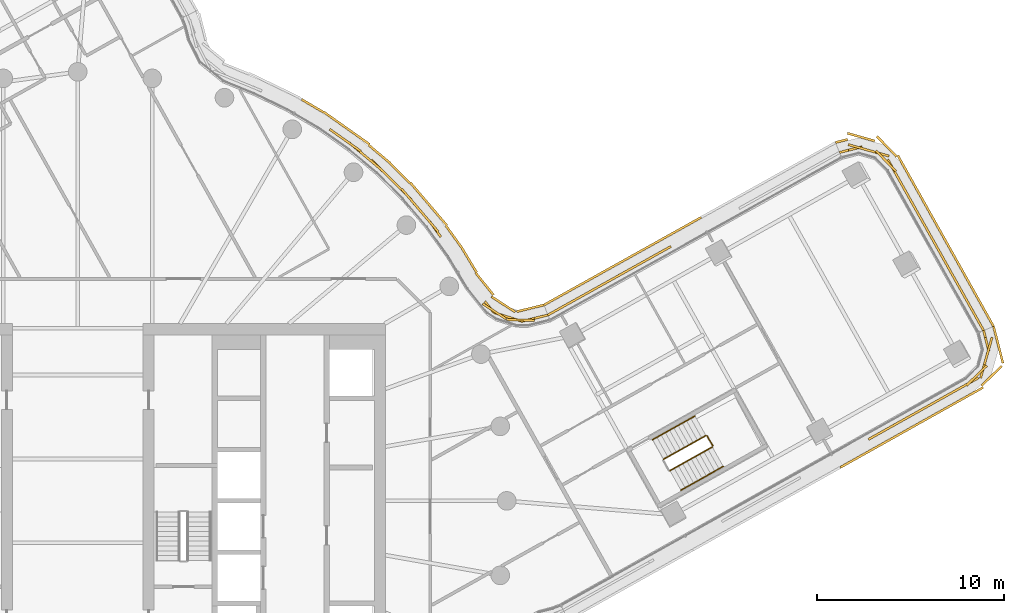
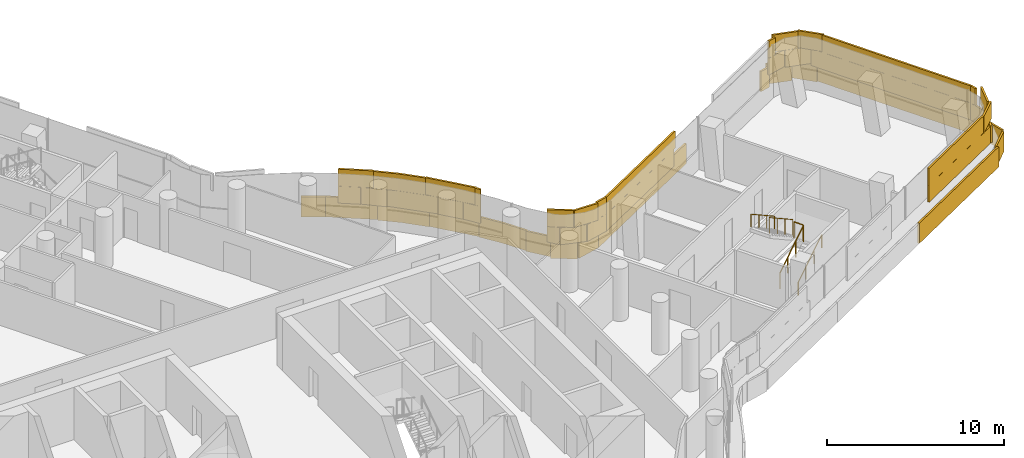
# One storey, part 32 of 34: 5 railings, 4 coverings.
"""IFC4 building model written with IfcOpenShell, lengths in metres."""

import ifcopenshell
import ifcopenshell.guid

model = None  # the IFC model being written
_history = None  # IfcOwnerHistory: only IFC2X3 demands one
_inside = {}  # id of a spatial element -> (the spatial element, [elements in it])
_under = {}  # id of a project, library or spatial element -> (it, [spatial elements below it])
_declared = {}  # id of a project -> (the project, [libraries it declares])
_typed = {}  # id of a type object -> (the type object, [elements of that type])
_made_of = {}  # id of a material, layer set ... -> (it, [elements and type objects made of it])


def new_model(schema):
    """Start an empty IFC model of exactly this schema.

    Asked for "IFC4X3", IfcOpenShell would pick the latest addendum, in which some entities
    have other attributes; the version numbers below select the first issue.
    IFC2X3 requires an IfcOwnerHistory on every rooted entity: one is made here for all.
    """
    global model, _history
    if schema == "IFC4X3":
        model = ifcopenshell.file(schema_version=(4, 3, 0, 0))
    else:
        model = ifcopenshell.file(schema=schema)
    _inside.clear()
    _under.clear()
    _declared.clear()
    _typed.clear()
    _made_of.clear()
    _history = None
    if model.schema == "IFC2X3":
        org = make("IfcOrganization", Name="unknown")
        user = make(
            "IfcPersonAndOrganization",
            ThePerson=make("IfcPerson", FamilyName="unknown"),
            TheOrganization=org,
        )
        app = make(
            "IfcApplication",
            ApplicationDeveloper=org,
            Version="unknown",
            ApplicationFullName="unknown",
            ApplicationIdentifier="unknown",
        )
        _history = make(
            "IfcOwnerHistory",
            OwningUser=user,
            OwningApplication=app,
            ChangeAction="ADDED",
            CreationDate=0,
        )
    return model


def make(cls, **values):
    """One entity of the class cls with the attributes given. An attribute that is None is left unset."""
    return model.create_entity(
        cls, **{name: value for name, value in values.items() if value is not None}
    )


def rooted(cls, **values):
    """An entity with a GlobalId (a new one), such as an element, a storey or a relation."""
    return make(cls, GlobalId=ifcopenshell.guid.new(), OwnerHistory=_history, **values)


def si_unit(unit_type, name, prefix=None):
    """IfcSIUnit, for example si_unit("LENGTHUNIT", "METRE", prefix="MILLI")."""
    return make("IfcSIUnit", UnitType=unit_type, Prefix=prefix, Name=name)


def assignment(units):
    """IfcUnitAssignment: the units of a project."""
    return None if units is None else make("IfcUnitAssignment", Units=units)


def point(xyz):
    """IfcCartesianPoint."""
    return None if xyz is None else make("IfcCartesianPoint", Coordinates=xyz)


def direction(xyz):
    """IfcDirection."""
    return None if xyz is None else make("IfcDirection", DirectionRatios=xyz)


def frame(location, z_axis=None, x_axis=None):
    """IfcAxis2Placement3D, a coordinate frame: its origin and axes. An axis left out is left unset."""
    return make(
        "IfcAxis2Placement3D",
        Location=point(location),
        Axis=direction(z_axis),
        RefDirection=direction(x_axis),
    )


def frame_2d(location, x_axis=None):
    """IfcAxis2Placement2D, a coordinate frame in the plane: its origin and x axis."""
    return make(
        "IfcAxis2Placement2D", Location=point(location), RefDirection=direction(x_axis)
    )


def origin():
    """The frame at (0, 0, 0) with its axes left unset."""
    return frame((0.0, 0.0, 0.0))


def origin_2d():
    """The frame at (0, 0) in the plane with its x axis left unset."""
    return frame_2d((0.0, 0.0))


def place(relative_to, where):
    """IfcLocalPlacement: puts the frame where relative to a parent placement (None: the world)."""
    return make(
        "IfcLocalPlacement", PlacementRelTo=relative_to, RelativePlacement=where
    )


def context(
    kind, dimensions, precision=None, world=None, true_north=None, identifier=None
):
    """IfcGeometricRepresentationContext, for example the 3D "Model" context."""
    return make(
        "IfcGeometricRepresentationContext",
        ContextIdentifier=identifier,
        ContextType=kind,
        CoordinateSpaceDimension=dimensions,
        Precision=precision,
        WorldCoordinateSystem=world,
        TrueNorth=true_north,
    )


def subcontext(parent, identifier, kind, view, scale=None):
    """IfcGeometricRepresentationSubContext, for example "Body" below "Model"."""
    return make(
        "IfcGeometricRepresentationSubContext",
        ContextIdentifier=identifier,
        ContextType=kind,
        ParentContext=parent,
        TargetScale=scale,
        TargetView=view,
    )


def project(units=None, contexts=None):
    """IfcProject with its units and contexts."""
    return rooted(
        "IfcProject",
        Name="project",
        RepresentationContexts=contexts,
        UnitsInContext=assignment(units),
    )


def spatial(cls, under=None, at=None, **own):
    """A site, building, storey or space (cls), placed at a placement, below another one or the project."""
    s = rooted(cls, ObjectPlacement=at, **own)
    if under is not None:
        _under.setdefault(under.id(), (under, []))[1].append(s)
    return s


def profile(cls, at=None, kind="AREA", **sizes):
    """A parametric profile (cls). Its sizes go by their IFC names, for example OverallWidth=200.0."""
    return make(cls, ProfileType=kind, Position=at, **sizes)


def rectangle(**sizes):
    """IfcRectangleProfileDef."""
    return profile("IfcRectangleProfileDef", **sizes)


def circle(**sizes):
    """IfcCircleProfileDef."""
    return profile("IfcCircleProfileDef", **sizes)


def extrude(swept, where, along, depth):
    """IfcExtrudedAreaSolid: the profile swept, set in the frame where, extruded along a direction by depth."""
    return make(
        "IfcExtrudedAreaSolid",
        SweptArea=swept,
        Position=where,
        ExtrudedDirection=direction(along),
        Depth=depth,
    )


def shape(context_of_items, identifier, shape_type, items):
    """IfcShapeRepresentation: the items that make up one representation, for example the "Body"."""
    return make(
        "IfcShapeRepresentation",
        ContextOfItems=context_of_items,
        RepresentationIdentifier=identifier,
        RepresentationType=shape_type,
        Items=items,
    )


def material(Name=None, Category=None):
    """IfcMaterial."""
    return make("IfcMaterial", Name=Name, Category=Category)


def layer(
    of_material, thickness, ventilated=None, Name=None, Category=None, Priority=None
):
    """IfcMaterialLayer: one layer of a wall or slab, of a material (None: an air gap)."""
    return make(
        "IfcMaterialLayer",
        Material=of_material,
        LayerThickness=thickness,
        IsVentilated=ventilated,
        Name=Name,
        Category=Category,
        Priority=Priority,
    )


def layer_set(layers, Name=None):
    """IfcMaterialLayerSet."""
    return make("IfcMaterialLayerSet", MaterialLayers=layers, LayerSetName=Name)


def made_of(thing, what):
    """Note that an element or type object is made of a material, layer set ...; save() writes the relation."""
    if what is not None:
        _made_of.setdefault(what.id(), (what, []))[1].append(thing)
    return thing


def type_object(cls, material=None, **own):
    """A type object (cls), such as IfcWallType, which elements share."""
    return made_of(rooted(cls, **own), material)


def element(
    cls,
    number,
    at=None,
    inside=None,
    cuts=None,
    type_object=None,
    material=None,
    context=None,
    identifier="Body",
    shape_type=None,
    held_by="IfcProductDefinitionShape",
    body=None,
    shapes=None,
    **own,
):
    """One element of the class cls, such as IfcWall. Its Tag is "e" and its number.

    at: its placement. inside: the storey or other place that contains it. cuts: it is an
    opening in that element (IfcRelVoidsElement). A single representation is given by context,
    identifier, shape_type and body (its items); several are given by shapes. held_by: the class
    of the entity that holds the representations. save() writes the other relations.
    """
    e = rooted(cls, Tag="e%d" % number, ObjectPlacement=at, **own)
    if body is not None:
        shapes = [shape(context, identifier, shape_type, body)]
    if shapes is not None:
        e.Representation = make(held_by, Representations=shapes)
    if inside is not None:
        _inside.setdefault(inside.id(), (inside, []))[1].append(e)
    if cuts is not None:
        rooted(
            "IfcRelVoidsElement", RelatingBuildingElement=cuts, RelatedOpeningElement=e
        )
    if type_object is not None:
        _typed.setdefault(type_object.id(), (type_object, []))[1].append(e)
    return made_of(e, material)


def aggregate(whole, parts):
    """IfcRelAggregates: a whole, such as a stair, and the parts it consists of."""
    return rooted("IfcRelAggregates", RelatingObject=whole, RelatedObjects=parts)


def save(model, path):
    """Write the relations noted so far, then the file.

    IfcRelAggregates (storeys below a building ...), IfcRelContainedInSpatialStructure (elements
    in a storey), IfcRelDefinesByType, IfcRelAssociatesMaterial and IfcRelDeclares: one each for
    every whole, place, type object, material and project.
    """
    for whole, parts in _under.values():
        aggregate(whole, parts)
    for where, things in _inside.values():
        rooted(
            "IfcRelContainedInSpatialStructure",
            RelatedElements=things,
            RelatingStructure=where,
        )
    for kind, things in _typed.values():
        rooted("IfcRelDefinesByType", RelatedObjects=things, RelatingType=kind)
    for what, things in _made_of.values():
        rooted("IfcRelAssociatesMaterial", RelatedObjects=things, RelatingMaterial=what)
    for by, libraries in _declared.values():
        rooted("IfcRelDeclares", RelatingContext=by, RelatedDefinitions=libraries)
    model.write(path)


model = new_model("IFC4")

# Units and contexts
model_context = context("Model", 3, precision=1e-05, world=origin(), true_north=direction((0.0, 1.0)))
body_context = subcontext(model_context, "Body", "Model", "MODEL_VIEW")
ifc_project = project(units=[si_unit("LENGTHUNIT", "METRE"), si_unit("AREAUNIT", "SQUARE_METRE"), si_unit("VOLUMEUNIT", "CUBIC_METRE"), si_unit("PLANEANGLEUNIT", "RADIAN"), si_unit("MASSUNIT", "GRAM", prefix="KILO")], contexts=[model_context])

# Site, building, storey
site_placement = place(None, origin())
site = spatial("IfcSite", under=ifc_project, at=site_placement, CompositionType="ELEMENT")
building_placement = place(site_placement, origin())
building = spatial("IfcBuilding", under=site, at=building_placement, Name="Tamarind Cross Interchange Tower", CompositionType="ELEMENT")
storey_placement = place(building_placement, frame((0.0, 0.0, 140.5)))
storey = spatial("IfcBuildingStorey", under=building, at=storey_placement, Name="L34", CompositionType="ELEMENT", Elevation=140.5)

# Railings
ifc_material_1 = material(Name="Stair guard")
railing_type_1 = type_object("IfcRailingType", Name="Stair guard", PredefinedType="GUARDRAIL", material=ifc_material_1)
railing_1_placement = place(storey_placement, frame((31.7509765625, 1.6220703125, 0.17041015625)))
element("IfcRailing", 1, at=railing_1_placement, inside=storey, type_object=railing_type_1, Name="L34 ST3 stair guard 1", PredefinedType="GUARDRAIL", context=body_context, shape_type="SweptSolid", body=[
    extrude(circle(Radius=0.02392578125, at=origin_2d()), frame((0.0, 0.0, 1.076171875), z_axis=(0.72962628909, 0.408672393545, 0.548299510325), x_axis=(-0.488677712788, 0.87246437923, 0.0)), (0.0, 0.0, 1.0), 3.10888671875),
    extrude(circle(Radius=0.02099609375, at=origin_2d()), origin(), (0.0, 0.0, 1.0), 1.052001953125),
    extrude(circle(Radius=0.02099609375, at=origin_2d()), frame((0.756103515625, 0.423583984375, 0.568115234375)), (0.0, 0.0, 1.0), 1.052001953125),
    extrude(circle(Radius=0.02099609375, at=origin_2d()), frame((1.51220703125, 0.846923828125, 1.136474609375)), (0.0, 0.0, 1.0), 1.052001953125),
    extrude(circle(Radius=0.02099609375, at=origin_2d()), frame((2.268310546875, 1.2705078125, 1.70458984375)), (0.0, 0.0, 1.0), 1.052001953125),
])
railing_2_placement = place(storey_placement, frame((34.03857421875, 2.960693359375, 1.875)))
element("IfcRailing", 2, at=railing_2_placement, inside=storey, type_object=railing_type_1, Name="L34 ST3 stair guard 2", PredefinedType="GUARDRAIL", context=body_context, shape_type="SweptSolid", body=[
    extrude(circle(Radius=0.02392578125, at=origin_2d()), frame((0.0, 0.0, 1.076171875), z_axis=(-0.488714884725, 0.872443557744, 0.0), x_axis=(-0.872443557744, -0.488714884725, 0.0)), (0.0, 0.0, 1.0), 0.599853515625),
    extrude(circle(Radius=0.02099609375, at=origin_2d()), origin(), (0.0, 0.0, 1.0), 1.052001953125),
    extrude(circle(Radius=0.02099609375, at=origin_2d()), frame((-0.293212890625, 0.5234375, 0.0)), (0.0, 0.0, 1.0), 1.052001953125),
])
railing_3_placement = place(storey_placement, frame((33.67724609375, 3.50341796875, 2.04541015625)))
element("IfcRailing", 3, at=railing_3_placement, inside=storey, type_object=railing_type_1, Name="L34 ST3 stair guard 3", PredefinedType="GUARDRAIL", context=body_context, shape_type="SweptSolid", body=[
    extrude(circle(Radius=0.02392578125, at=origin_2d()), frame((0.0, 0.0, 1.076171875), z_axis=(-0.72960287191, -0.408737805219, 0.548281912784), x_axis=(0.488749187227, -0.872424341696, 0.0)), (0.0, 0.0, 1.0), 3.10888671875),
    extrude(circle(Radius=0.02099609375, at=origin_2d()), origin(), (0.0, 0.0, 1.0), 1.052001953125),
    extrude(circle(Radius=0.02099609375, at=origin_2d()), frame((-0.756103515625, -0.423583984375, 0.568115234375)), (0.0, 0.0, 1.0), 1.052001953125),
    extrude(circle(Radius=0.02099609375, at=origin_2d()), frame((-1.51220703125, -0.84716796875, 1.136474609375)), (0.0, 0.0, 1.0), 1.052001953125),
    extrude(circle(Radius=0.02099609375, at=origin_2d()), frame((-2.268310546875, -1.270751953125, 1.70458984375)), (0.0, 0.0, 1.0), 1.052001953125),
])
ifc_material_2 = material(Name="Stair handrail")
railing_type_2 = type_object("IfcRailingType", Name="Stair handrail", PredefinedType="HANDRAIL", material=ifc_material_2)
railing_4_placement = place(storey_placement, frame((32.33740234375, 0.5751953125, 0.17041015625)))
element("IfcRailing", 4, at=railing_4_placement, inside=storey, type_object=railing_type_2, Name="L34 ST3 stair handrail 1", PredefinedType="HANDRAIL", context=body_context, shape_type="SweptSolid", body=[
    extrude(circle(Radius=0.02392578125, at=origin_2d()), frame((0.0, 0.0, 0.8759765625), z_axis=(0.72962628909, 0.408672393545, 0.548299510325), x_axis=(-0.488677712788, 0.87246437923, 0.0)), (0.0, 0.0, 1.0), 3.10888671875),
    extrude(circle(Radius=0.02099609375, at=origin_2d()), origin(), (0.0, 0.0, 1.0), 0.851806640625),
    extrude(circle(Radius=0.02099609375, at=origin_2d()), frame((0.756103515625, 0.423583984375, 0.568115234375)), (0.0, 0.0, 1.0), 0.851806640625),
    extrude(circle(Radius=0.02099609375, at=origin_2d()), frame((1.51220703125, 0.846923828125, 1.136474609375)), (0.0, 0.0, 1.0), 0.851806640625),
    extrude(circle(Radius=0.02099609375, at=origin_2d()), frame((2.268310546875, 1.2705078125, 1.70458984375)), (0.0, 0.0, 1.0), 0.851806640625),
])
railing_5_placement = place(storey_placement, frame((33.0908203125, 4.55029296875, 2.04541015625)))
element("IfcRailing", 5, at=railing_5_placement, inside=storey, type_object=railing_type_2, Name="L34 ST3 stair handrail 2", PredefinedType="HANDRAIL", context=body_context, shape_type="SweptSolid", body=[
    extrude(circle(Radius=0.02392578125, at=origin_2d()), frame((0.0, 0.0, 0.8759765625), z_axis=(-0.72962628909, -0.408672393545, 0.548299510325), x_axis=(0.488677712788, -0.87246437923, 0.0)), (0.0, 0.0, 1.0), 3.10888671875),
    extrude(circle(Radius=0.02099609375, at=origin_2d()), origin(), (0.0, 0.0, 1.0), 0.851806640625),
    extrude(circle(Radius=0.02099609375, at=origin_2d()), frame((-0.756103515625, -0.423583984375, 0.568115234375)), (0.0, 0.0, 1.0), 0.851806640625),
    extrude(circle(Radius=0.02099609375, at=origin_2d()), frame((-1.51220703125, -0.846923828125, 1.136474609375)), (0.0, 0.0, 1.0), 0.851806640625),
    extrude(circle(Radius=0.02099609375, at=origin_2d()), frame((-2.268310546875, -1.2705078125, 1.70458984375)), (0.0, 0.0, 1.0), 0.851806640625),
])

# Coverings
ifc_material_3 = material(Name="Terracotta", Category="masonry")
ifc_layer = layer(ifc_material_3, 0.1201171875)
ifc_layer_set = layer_set([ifc_layer], Name="Terracotta")
covering_type = type_object("IfcCoveringType", Name="Terracotta baguette screen unit", PredefinedType="MOLDING", material=ifc_layer_set)
covering_1_placement = place(storey_placement, origin())
element("IfcCovering", 6, at=covering_1_placement, inside=storey, type_object=covering_type, Name="SCR-L34-07-02", PredefinedType="MOLDING", context=body_context, shape_type="SweptSolid", body=[
    extrude(rectangle(XDim=0.75634765625, YDim=0.1201171875, at=origin_2d()), frame((42.72119140625, 3.480224609375, 1.404052734375), z_axis=(0.0, 0.0, 1.0), x_axis=(0.872458481082, 0.488688242939, 0.0)), (0.0, 0.0, 1.0), 1.1669921875),
    extrude(rectangle(XDim=1.52001953125, YDim=0.1201171875, at=origin_2d()), frame((43.701171875, 4.029052734375, 1.404052734375), z_axis=(0.0, 0.0, 1.0), x_axis=(0.872458481082, 0.488688242939, 0.0)), (0.0, 0.0, 1.0), 1.1669921875),
    extrude(rectangle(XDim=1.52001953125, YDim=0.1201171875, at=origin_2d()), frame((45.010009765625, 4.761962890625, 1.404052734375), z_axis=(0.0, 0.0, 1.0), x_axis=(0.872458481082, 0.488688242939, 0.0)), (0.0, 0.0, 1.0), 1.1669921875),
    extrude(rectangle(XDim=1.52001953125, YDim=0.1201171875, at=origin_2d()), frame((46.318603515625, 5.4951171875, 1.404052734375), z_axis=(0.0, 0.0, 1.0), x_axis=(0.872458481082, 0.488688242939, 0.0)), (0.0, 0.0, 1.0), 1.1669921875),
    extrude(rectangle(XDim=1.52001953125, YDim=0.1201171875, at=origin_2d()), frame((47.627197265625, 6.22802734375, 1.404052734375), z_axis=(0.0, 0.0, 1.0), x_axis=(0.872458481082, 0.488688242939, 0.0)), (0.0, 0.0, 1.0), 1.1669921875),
    extrude(rectangle(XDim=1.52001953125, YDim=0.1201171875, at=origin_2d()), frame((48.60595703125, 7.313232421875, 1.404052734375), z_axis=(0.0, 0.0, 1.0), x_axis=(0.271366537809, 0.962476078746, 0.0)), (0.0, 0.0, 1.0), 1.1669921875),
    extrude(rectangle(XDim=1.144287109375, YDim=0.1201171875, at=origin_2d()), frame((48.70263671875, 8.58447265625, 1.404052734375), z_axis=(0.0, 0.0, 1.0), x_axis=(-0.246227723894, 0.969212003633, 0.0)), (0.0, 0.0, 1.0), 1.1669921875),
    extrude(rectangle(XDim=1.50634765625, YDim=0.1201171875, at=origin_2d()), frame((43.04833984375, 3.663330078125, 2.5791015625), z_axis=(0.0, 0.0, 1.0), x_axis=(0.872458481082, 0.488688242939, 0.0)), (0.0, 0.0, 1.0), 1.1669921875),
    extrude(rectangle(XDim=1.52001953125, YDim=0.1201171875, at=origin_2d()), frame((44.35546875, 4.3955078125, 2.5791015625), z_axis=(0.0, 0.0, 1.0), x_axis=(0.872458481082, 0.488688242939, 0.0)), (0.0, 0.0, 1.0), 1.1669921875),
    extrude(rectangle(XDim=1.52001953125, YDim=0.1201171875, at=origin_2d()), frame((45.664306640625, 5.128662109375, 2.5791015625), z_axis=(0.0, 0.0, 1.0), x_axis=(0.872458481082, 0.488688242939, 0.0)), (0.0, 0.0, 1.0), 1.1669921875),
    extrude(rectangle(XDim=1.52001953125, YDim=0.1201171875, at=origin_2d()), frame((46.972900390625, 5.861572265625, 2.5791015625), z_axis=(0.0, 0.0, 1.0), x_axis=(0.872458481082, 0.488688242939, 0.0)), (0.0, 0.0, 1.0), 1.1669921875),
    extrude(rectangle(XDim=1.52001953125, YDim=0.1201171875, at=origin_2d()), frame((48.189208984375, 6.718505859375, 2.5791015625), z_axis=(0.0, 0.0, 1.0), x_axis=(0.716248354852, 0.697845465824, 0.0)), (0.0, 0.0, 1.0), 1.1669921875),
    extrude(rectangle(XDim=1.52001953125, YDim=0.1201171875, at=origin_2d()), frame((48.8095703125, 8.03515625, 2.5791015625), z_axis=(0.0, 0.0, 1.0), x_axis=(0.271366537809, 0.962476078746, 0.0)), (0.0, 0.0, 1.0), 1.1669921875),
    extrude(rectangle(XDim=0.394287109375, YDim=0.1201171875, at=origin_2d()), frame((48.6103515625, 8.947998046875, 2.5791015625), z_axis=(0.0, 0.0, 1.0), x_axis=(-0.246227723894, 0.969212003633, 0.0)), (0.0, 0.0, 1.0), 1.1669921875),
    extrude(rectangle(XDim=1.28076171875, YDim=0.1201171875, at=origin_2d()), frame((41.43603515625, 2.102294921875, 0.00390625), z_axis=(0.0, 0.0, 1.0), x_axis=(0.872458481082, 0.488688242939, 0.0)), (0.0, 0.0, 1.0), 1.39208984375),
    extrude(rectangle(XDim=1.52001953125, YDim=0.1201171875, at=origin_2d()), frame((42.64013671875, 2.77685546875, 0.00390625), z_axis=(0.0, 0.0, 1.0), x_axis=(0.872458481082, 0.488688242939, 0.0)), (0.0, 0.0, 1.0), 1.39208984375),
    extrude(rectangle(XDim=1.52001953125, YDim=0.1201171875, at=origin_2d()), frame((43.948974609375, 3.509765625, 0.00390625), z_axis=(0.0, 0.0, 1.0), x_axis=(0.872458481082, 0.488688242939, 0.0)), (0.0, 0.0, 1.0), 1.39208984375),
    extrude(rectangle(XDim=1.52001953125, YDim=0.1201171875, at=origin_2d()), frame((45.257568359375, 4.242919921875, 0.00390625), z_axis=(0.0, 0.0, 1.0), x_axis=(0.872458481082, 0.488688242939, 0.0)), (0.0, 0.0, 1.0), 1.39208984375),
    extrude(rectangle(XDim=1.52001953125, YDim=0.1201171875, at=origin_2d()), frame((46.56640625, 4.975830078125, 0.00390625), z_axis=(0.0, 0.0, 1.0), x_axis=(0.872458481082, 0.488688242939, 0.0)), (0.0, 0.0, 1.0), 1.39208984375),
    extrude(rectangle(XDim=1.52001953125, YDim=0.1201171875, at=origin_2d()), frame((47.875, 5.708984375, 0.00390625), z_axis=(0.0, 0.0, 1.0), x_axis=(0.872458481082, 0.488688242939, 0.0)), (0.0, 0.0, 1.0), 1.39208984375),
    extrude(rectangle(XDim=1.52001953125, YDim=0.1201171875, at=origin_2d()), frame((48.99169921875, 6.698974609375, 0.00390625), z_axis=(0.0, 0.0, 1.0), x_axis=(0.716248354852, 0.697845465824, 0.0)), (0.0, 0.0, 1.0), 1.39208984375),
    extrude(rectangle(XDim=1.52001953125, YDim=0.1201171875, at=origin_2d()), frame((49.411865234375, 8.123779296875, 0.00390625), z_axis=(0.0, 0.0, 1.0), x_axis=(-0.246227723894, 0.969212003633, 0.0)), (0.0, 0.0, 1.0), 1.39208984375),
    extrude(rectangle(XDim=0.52392578125, YDim=0.1201171875, at=origin_2d()), frame((49.1650390625, 9.094970703125, 0.00390625), z_axis=(0.0, 0.0, 1.0), x_axis=(-0.246227723894, 0.969212003633, 0.0)), (0.0, 0.0, 1.0), 1.39208984375),
])
covering_2_placement = place(storey_placement, origin())
element("IfcCovering", 7, at=covering_2_placement, inside=storey, type_object=covering_type, Name="SCR-L34-08-00", PredefinedType="MOLDING", context=body_context, shape_type="SweptSolid", body=[
    extrude(rectangle(XDim=1.510009765625, YDim=0.1201171875, at=origin_2d()), frame((48.196533203125, 9.78857421875, 1.404052734375), z_axis=(0.0, 0.0, 1.0), x_axis=(-0.488688242939, 0.872458481082, 0.0)), (0.0, 0.0, 1.0), 1.1669921875),
    extrude(rectangle(XDim=1.52001953125, YDim=0.1201171875, at=origin_2d()), frame((47.46337890625, 11.09716796875, 1.404052734375), z_axis=(0.0, 0.0, 1.0), x_axis=(-0.488688242939, 0.872458481082, 0.0)), (0.0, 0.0, 1.0), 1.1669921875),
    extrude(rectangle(XDim=1.52001953125, YDim=0.1201171875, at=origin_2d()), frame((46.73046875, 12.40576171875, 1.404052734375), z_axis=(0.0, 0.0, 1.0), x_axis=(-0.488688242939, 0.872458481082, 0.0)), (0.0, 0.0, 1.0), 1.1669921875),
    extrude(rectangle(XDim=1.52001953125, YDim=0.1201171875, at=origin_2d()), frame((45.997314453125, 13.714599609375, 1.404052734375), z_axis=(0.0, 0.0, 1.0), x_axis=(-0.488688242939, 0.872458481082, 0.0)), (0.0, 0.0, 1.0), 1.1669921875),
    extrude(rectangle(XDim=1.52001953125, YDim=0.1201171875, at=origin_2d()), frame((45.264404296875, 15.023193359375, 1.404052734375), z_axis=(0.0, 0.0, 1.0), x_axis=(-0.488688242939, 0.872458481082, 0.0)), (0.0, 0.0, 1.0), 1.1669921875),
    extrude(rectangle(XDim=1.52001953125, YDim=0.1201171875, at=origin_2d()), frame((44.53125, 16.331787109375, 1.404052734375), z_axis=(0.0, 0.0, 1.0), x_axis=(-0.488688242939, 0.872458481082, 0.0)), (0.0, 0.0, 1.0), 1.1669921875),
    extrude(rectangle(XDim=1.52001953125, YDim=0.1201171875, at=origin_2d()), frame((43.79833984375, 17.640625, 1.404052734375), z_axis=(0.0, 0.0, 1.0), x_axis=(-0.488688242939, 0.872458481082, 0.0)), (0.0, 0.0, 1.0), 1.1669921875),
    extrude(rectangle(XDim=1.52001953125, YDim=0.1201171875, at=origin_2d()), frame((42.767578125, 18.688720703125, 1.404052734375), z_axis=(0.0, 0.0, 1.0), x_axis=(-0.962476078746, 0.271366537809, 0.0)), (0.0, 0.0, 1.0), 1.1669921875),
    extrude(rectangle(XDim=1.259521484375, YDim=0.1201171875, at=origin_2d()), frame((41.44140625, 18.830810546875, 1.404052734375), z_axis=(0.0, 0.0, 1.0), x_axis=(-0.969212003633, -0.246227723894, 0.0)), (0.0, 0.0, 1.0), 1.1669921875),
    extrude(rectangle(XDim=0.760009765625, YDim=0.1201171875, at=origin_2d()), frame((48.379638671875, 9.461181640625, 2.5791015625), z_axis=(0.0, 0.0, 1.0), x_axis=(-0.488688242939, 0.872458481082, 0.0)), (0.0, 0.0, 1.0), 1.1669921875),
    extrude(rectangle(XDim=1.52001953125, YDim=0.1201171875, at=origin_2d()), frame((47.829833984375, 10.44287109375, 2.5791015625), z_axis=(0.0, 0.0, 1.0), x_axis=(-0.488688242939, 0.872458481082, 0.0)), (0.0, 0.0, 1.0), 1.1669921875),
    extrude(rectangle(XDim=1.52001953125, YDim=0.1201171875, at=origin_2d()), frame((47.096923828125, 11.75146484375, 2.5791015625), z_axis=(0.0, 0.0, 1.0), x_axis=(-0.488688242939, 0.872458481082, 0.0)), (0.0, 0.0, 1.0), 1.1669921875),
    extrude(rectangle(XDim=1.52001953125, YDim=0.1201171875, at=origin_2d()), frame((46.36376953125, 13.060302734375, 2.5791015625), z_axis=(0.0, 0.0, 1.0), x_axis=(-0.488688242939, 0.872458481082, 0.0)), (0.0, 0.0, 1.0), 1.1669921875),
    extrude(rectangle(XDim=1.52001953125, YDim=0.1201171875, at=origin_2d()), frame((45.630859375, 14.368896484375, 2.5791015625), z_axis=(0.0, 0.0, 1.0), x_axis=(-0.488688242939, 0.872458481082, 0.0)), (0.0, 0.0, 1.0), 1.1669921875),
    extrude(rectangle(XDim=1.52001953125, YDim=0.1201171875, at=origin_2d()), frame((44.897705078125, 15.677490234375, 2.5791015625), z_axis=(0.0, 0.0, 1.0), x_axis=(-0.488688242939, 0.872458481082, 0.0)), (0.0, 0.0, 1.0), 1.1669921875),
    extrude(rectangle(XDim=1.52001953125, YDim=0.1201171875, at=origin_2d()), frame((44.164794921875, 16.986328125, 2.5791015625), z_axis=(0.0, 0.0, 1.0), x_axis=(-0.488688242939, 0.872458481082, 0.0)), (0.0, 0.0, 1.0), 1.1669921875),
    extrude(rectangle(XDim=1.52001953125, YDim=0.1201171875, at=origin_2d()), frame((43.33203125, 18.220458984375, 2.5791015625), z_axis=(0.0, 0.0, 1.0), x_axis=(-0.697845465824, 0.716248354852, 0.0)), (0.0, 0.0, 1.0), 1.1669921875),
    extrude(rectangle(XDim=1.52001953125, YDim=0.1201171875, at=origin_2d()), frame((42.0458984375, 18.892333984375, 2.5791015625), z_axis=(0.0, 0.0, 1.0), x_axis=(-0.962476078746, 0.271366537809, 0.0)), (0.0, 0.0, 1.0), 1.1669921875),
    extrude(rectangle(XDim=0.509521484375, YDim=0.1201171875, at=origin_2d()), frame((41.077880859375, 18.738525390625, 2.5791015625), z_axis=(0.0, 0.0, 1.0), x_axis=(-0.969212003633, -0.246227723894, 0.0)), (0.0, 0.0, 1.0), 1.1669921875),
    extrude(rectangle(XDim=1.510009765625, YDim=0.1201171875, at=origin_2d()), frame((48.731689453125, 10.00732421875, 0.00390625), z_axis=(0.0, 0.0, 1.0), x_axis=(-0.488688242939, 0.872458481082, 0.0)), (0.0, 0.0, 1.0), 1.39208984375),
    extrude(rectangle(XDim=1.52001953125, YDim=0.1201171875, at=origin_2d()), frame((48.001220703125, 11.311767578125, 0.00390625), z_axis=(0.0, 0.0, 1.0), x_axis=(-0.488688242939, 0.872458481082, 0.0)), (0.0, 0.0, 1.0), 1.39208984375),
    extrude(rectangle(XDim=1.52001953125, YDim=0.1201171875, at=origin_2d()), frame((47.26806640625, 12.620361328125, 0.00390625), z_axis=(0.0, 0.0, 1.0), x_axis=(-0.488688242939, 0.872458481082, 0.0)), (0.0, 0.0, 1.0), 1.39208984375),
    extrude(rectangle(XDim=1.52001953125, YDim=0.1201171875, at=origin_2d()), frame((46.53515625, 13.92919921875, 0.00390625), z_axis=(0.0, 0.0, 1.0), x_axis=(-0.488688242939, 0.872458481082, 0.0)), (0.0, 0.0, 1.0), 1.39208984375),
    extrude(rectangle(XDim=1.52001953125, YDim=0.1201171875, at=origin_2d()), frame((45.802001953125, 15.23779296875, 0.00390625), z_axis=(0.0, 0.0, 1.0), x_axis=(-0.488688242939, 0.872458481082, 0.0)), (0.0, 0.0, 1.0), 1.39208984375),
    extrude(rectangle(XDim=1.52001953125, YDim=0.1201171875, at=origin_2d()), frame((45.069091796875, 16.54638671875, 0.00390625), z_axis=(0.0, 0.0, 1.0), x_axis=(-0.488688242939, 0.872458481082, 0.0)), (0.0, 0.0, 1.0), 1.39208984375),
    extrude(rectangle(XDim=1.52001953125, YDim=0.1201171875, at=origin_2d()), frame((44.3359375, 17.855224609375, 0.00390625), z_axis=(0.0, 0.0, 1.0), x_axis=(-0.488688242939, 0.872458481082, 0.0)), (0.0, 0.0, 1.0), 1.39208984375),
    extrude(rectangle(XDim=1.52001953125, YDim=0.1201171875, at=origin_2d()), frame((43.3779296875, 18.995849609375, 0.00390625), z_axis=(0.0, 0.0, 1.0), x_axis=(-0.697845465824, 0.716248354852, 0.0)), (0.0, 0.0, 1.0), 1.39208984375),
    extrude(rectangle(XDim=1.52001953125, YDim=0.1201171875, at=origin_2d()), frame((41.993896484375, 19.503173828125, 0.00390625), z_axis=(0.0, 0.0, 1.0), x_axis=(-0.962476078746, 0.271366537809, 0.0)), (0.0, 0.0, 1.0), 1.39208984375),
    extrude(rectangle(XDim=0.676513671875, YDim=0.1201171875, at=origin_2d()), frame((40.94970703125, 19.298095703125, 0.00390625), z_axis=(0.0, 0.0, 1.0), x_axis=(-0.969212003633, -0.246227723894, 0.0)), (0.0, 0.0, 1.0), 1.39208984375),
])
covering_3_placement = place(storey_placement, origin())
element("IfcCovering", 8, at=covering_3_placement, inside=storey, type_object=covering_type, Name="SCR-L34-09-01", PredefinedType="MOLDING", context=body_context, shape_type="SweptSolid", body=[
    extrude(rectangle(XDim=1.52001953125, YDim=0.1201171875, at=origin_2d()), frame((31.009521484375, 13.19921875, 1.404052734375), z_axis=(0.0, 0.0, 1.0), x_axis=(-0.873449626547, -0.486914520101, 0.0)), (0.0, 0.0, 1.0), 1.1669921875),
    extrude(rectangle(XDim=1.52001953125, YDim=0.1201171875, at=origin_2d()), frame((29.699462890625, 12.46875, 1.404052734375), z_axis=(0.0, 0.0, 1.0), x_axis=(-0.873449626547, -0.486914520101, 0.0)), (0.0, 0.0, 1.0), 1.1669921875),
    extrude(rectangle(XDim=1.52001953125, YDim=0.1201171875, at=origin_2d()), frame((28.38916015625, 11.738525390625, 1.404052734375), z_axis=(0.0, 0.0, 1.0), x_axis=(-0.873449626547, -0.486914520101, 0.0)), (0.0, 0.0, 1.0), 1.1669921875),
    extrude(rectangle(XDim=1.52001953125, YDim=0.1201171875, at=origin_2d()), frame((27.0791015625, 11.008056640625, 1.404052734375), z_axis=(0.0, 0.0, 1.0), x_axis=(-0.873449626547, -0.486914520101, 0.0)), (0.0, 0.0, 1.0), 1.1669921875),
    extrude(rectangle(XDim=1.403564453125, YDim=0.1201171875, at=origin_2d()), frame((25.8154296875, 10.303466796875, 1.404052734375), z_axis=(0.0, 0.0, 1.0), x_axis=(-0.873449626547, -0.486914520101, 0.0)), (0.0, 0.0, 1.0), 1.1669921875),
    extrude(rectangle(XDim=0.911376953125, YDim=0.1201171875, at=origin_2d()), frame((31.4033203125, 13.418701171875, 2.5791015625), z_axis=(0.0, 0.0, 1.0), x_axis=(-0.873449626547, -0.486914520101, 0.0)), (0.0, 0.0, 1.0), 1.1669921875),
    extrude(rectangle(XDim=1.52001953125, YDim=0.1201171875, at=origin_2d()), frame((30.3544921875, 12.833984375, 2.5791015625), z_axis=(0.0, 0.0, 1.0), x_axis=(-0.873449626547, -0.486914520101, 0.0)), (0.0, 0.0, 1.0), 1.1669921875),
    extrude(rectangle(XDim=1.52001953125, YDim=0.1201171875, at=origin_2d()), frame((29.04443359375, 12.103515625, 2.5791015625), z_axis=(0.0, 0.0, 1.0), x_axis=(-0.873449626547, -0.486914520101, 0.0)), (0.0, 0.0, 1.0), 1.1669921875),
    extrude(rectangle(XDim=1.52001953125, YDim=0.1201171875, at=origin_2d()), frame((27.734130859375, 11.373291015625, 2.5791015625), z_axis=(0.0, 0.0, 1.0), x_axis=(-0.873449626547, -0.486914520101, 0.0)), (0.0, 0.0, 1.0), 1.1669921875),
    extrude(rectangle(XDim=1.52001953125, YDim=0.1201171875, at=origin_2d()), frame((26.424072265625, 10.642822265625, 2.5791015625), z_axis=(0.0, 0.0, 1.0), x_axis=(-0.873449626547, -0.486914520101, 0.0)), (0.0, 0.0, 1.0), 1.1669921875),
    extrude(rectangle(XDim=0.653564453125, YDim=0.1201171875, at=origin_2d()), frame((25.48779296875, 10.120849609375, 2.5791015625), z_axis=(0.0, 0.0, 1.0), x_axis=(-0.873449626547, -0.486914520101, 0.0)), (0.0, 0.0, 1.0), 1.1669921875),
    extrude(rectangle(XDim=0.7626953125, YDim=0.1201171875, at=origin_2d()), frame((33.085205078125, 15.013427734375, 0.00390625), z_axis=(0.0, 0.0, 1.0), x_axis=(-0.873449626547, -0.486914520101, 0.0)), (0.0, 0.0, 1.0), 1.39208984375),
    extrude(rectangle(XDim=1.52001953125, YDim=0.1201171875, at=origin_2d()), frame((32.105712890625, 14.46728515625, 0.00390625), z_axis=(0.0, 0.0, 1.0), x_axis=(-0.873449626547, -0.486914520101, 0.0)), (0.0, 0.0, 1.0), 1.39208984375),
    extrude(rectangle(XDim=1.52001953125, YDim=0.1201171875, at=origin_2d()), frame((30.795654296875, 13.737060546875, 0.00390625), z_axis=(0.0, 0.0, 1.0), x_axis=(-0.873449626547, -0.486914520101, 0.0)), (0.0, 0.0, 1.0), 1.39208984375),
    extrude(rectangle(XDim=1.52001953125, YDim=0.1201171875, at=origin_2d()), frame((29.4853515625, 13.006591796875, 0.00390625), z_axis=(0.0, 0.0, 1.0), x_axis=(-0.873449626547, -0.486914520101, 0.0)), (0.0, 0.0, 1.0), 1.39208984375),
    extrude(rectangle(XDim=1.52001953125, YDim=0.1201171875, at=origin_2d()), frame((28.17529296875, 12.2763671875, 0.00390625), z_axis=(0.0, 0.0, 1.0), x_axis=(-0.873449626547, -0.486914520101, 0.0)), (0.0, 0.0, 1.0), 1.39208984375),
    extrude(rectangle(XDim=1.52001953125, YDim=0.1201171875, at=origin_2d()), frame((26.864990234375, 11.5458984375, 0.00390625), z_axis=(0.0, 0.0, 1.0), x_axis=(-0.873449626547, -0.486914520101, 0.0)), (0.0, 0.0, 1.0), 1.39208984375),
    extrude(rectangle(XDim=1.40087890625, YDim=0.1201171875, at=origin_2d()), frame((25.60693359375, 10.844482421875, 0.00390625), z_axis=(0.0, 0.0, 1.0), x_axis=(-0.873449626547, -0.486914520101, 0.0)), (0.0, 0.0, 1.0), 1.39208984375),
])
covering_4_placement = place(storey_placement, origin())
element("IfcCovering", 9, at=covering_4_placement, inside=storey, type_object=covering_type, Name="SCR-L34-10-00", PredefinedType="MOLDING", context=body_context, shape_type="SweptSolid", body=[
    extrude(rectangle(XDim=1.510009765625, YDim=0.1201171875, at=origin_2d()), frame((24.47802734375, 9.786376953125, 1.404052734375), z_axis=(0.0, 0.0, 1.0), x_axis=(-0.971463193189, -0.237190354523, 0.0)), (0.0, 0.0, 1.0), 1.1669921875),
    extrude(rectangle(XDim=1.52001953125, YDim=0.1201171875, at=origin_2d()), frame((23.0166015625, 9.873046875, 1.404052734375), z_axis=(0.0, 0.0, 1.0), x_axis=(-0.954519224324, 0.298149375979, 0.0)), (0.0, 0.0, 1.0), 1.1669921875),
    extrude(rectangle(XDim=0.748046875, YDim=0.1201171875, at=origin_2d()), frame((22.057861328125, 10.4052734375, 1.404052734375), z_axis=(0.0, 0.0, 1.0), x_axis=(-0.625954972902, 0.779859200048, 0.0)), (0.0, 0.0, 1.0), 1.1669921875),
    extrude(rectangle(XDim=1.072021484375, YDim=0.1201171875, at=origin_2d()), frame((19.15185546875, 14.58642578125, 1.404052734375), z_axis=(0.0, 0.0, 1.0), x_axis=(-0.584573890505, 0.811340475102, 0.0)), (0.0, 0.0, 1.0), 1.1669921875),
    extrude(rectangle(XDim=1.52001953125, YDim=0.1201171875, at=origin_2d()), frame((18.3427734375, 15.57861328125, 1.404052734375), z_axis=(0.0, 0.0, 1.0), x_axis=(-0.64957723968, 0.760295606781, 0.0)), (0.0, 0.0, 1.0), 1.1669921875),
    extrude(rectangle(XDim=1.52001953125, YDim=0.1201171875, at=origin_2d()), frame((17.342041015625, 16.694580078125, 1.404052734375), z_axis=(0.0, 0.0, 1.0), x_axis=(-0.710143317658, 0.704057148523, 0.0)), (0.0, 0.0, 1.0), 1.1669921875),
    extrude(rectangle(XDim=1.52001953125, YDim=0.1201171875, at=origin_2d()), frame((16.27685546875, 17.750732421875, 1.404052734375), z_axis=(0.0, 0.0, 1.0), x_axis=(-0.710143317658, 0.704057148523, 0.0)), (0.0, 0.0, 1.0), 1.1669921875),
    extrude(rectangle(XDim=1.52001953125, YDim=0.1201171875, at=origin_2d()), frame((15.13134765625, 18.71875, 1.404052734375), z_axis=(0.0, 0.0, 1.0), x_axis=(-0.765858396687, 0.643009266048, 0.0)), (0.0, 0.0, 1.0), 1.1669921875),
    extrude(rectangle(XDim=1.2763671875, YDim=0.1201171875, at=origin_2d()), frame((14.02978515625, 19.553466796875, 1.404052734375), z_axis=(0.0, 0.0, 1.0), x_axis=(-0.816341886298, 0.577568978284, 0.0)), (0.0, 0.0, 1.0), 1.1669921875),
    extrude(rectangle(XDim=0.760009765625, YDim=0.1201171875, at=origin_2d()), frame((24.84228515625, 9.875244140625, 2.5791015625), z_axis=(0.0, 0.0, 1.0), x_axis=(-0.971463193189, -0.237190354523, 0.0)), (0.0, 0.0, 1.0), 1.1669921875),
    extrude(rectangle(XDim=1.52001953125, YDim=0.1201171875, at=origin_2d()), frame((23.740478515625, 9.6962890625, 2.5791015625), z_axis=(0.0, 0.0, 1.0), x_axis=(-0.999499487197, 0.031635029539, 0.0)), (0.0, 0.0, 1.0), 1.1669921875),
    extrude(rectangle(XDim=1.498046875, YDim=0.1201171875, at=origin_2d()), frame((22.3388671875, 10.1640625, 2.5791015625), z_axis=(0.0, 0.0, 1.0), x_axis=(-0.839808353158, 0.542882979993, 0.0)), (0.0, 0.0, 1.0), 1.1669921875),
    extrude(rectangle(XDim=0.322021484375, YDim=0.1201171875, at=origin_2d()), frame((19.370849609375, 14.2822265625, 2.5791015625), z_axis=(0.0, 0.0, 1.0), x_axis=(-0.584573890505, 0.811340475102, 0.0)), (0.0, 0.0, 1.0), 1.1669921875),
    extrude(rectangle(XDim=1.52001953125, YDim=0.1201171875, at=origin_2d()), frame((18.830078125, 15.00830078125, 2.5791015625), z_axis=(0.0, 0.0, 1.0), x_axis=(-0.64957723968, 0.760295606781, 0.0)), (0.0, 0.0, 1.0), 1.1669921875),
    extrude(rectangle(XDim=1.52001953125, YDim=0.1201171875, at=origin_2d()), frame((17.855712890625, 16.14892578125, 2.5791015625), z_axis=(0.0, 0.0, 1.0), x_axis=(-0.64957723968, 0.760295606781, 0.0)), (0.0, 0.0, 1.0), 1.1669921875),
    extrude(rectangle(XDim=1.52001953125, YDim=0.1201171875, at=origin_2d()), frame((16.8095703125, 17.22265625, 2.5791015625), z_axis=(0.0, 0.0, 1.0), x_axis=(-0.710143317658, 0.704057148523, 0.0)), (0.0, 0.0, 1.0), 1.1669921875),
    extrude(rectangle(XDim=1.52001953125, YDim=0.1201171875, at=origin_2d()), frame((15.70556640625, 18.236572265625, 2.5791015625), z_axis=(0.0, 0.0, 1.0), x_axis=(-0.765858396687, 0.643009266048, 0.0)), (0.0, 0.0, 1.0), 1.1669921875),
    extrude(rectangle(XDim=1.52001953125, YDim=0.1201171875, at=origin_2d()), frame((14.546630859375, 19.187744140625, 2.5791015625), z_axis=(0.0, 0.0, 1.0), x_axis=(-0.816341886298, 0.577568978284, 0.0)), (0.0, 0.0, 1.0), 1.1669921875),
    extrude(rectangle(XDim=0.5263671875, YDim=0.1201171875, at=origin_2d()), frame((13.7236328125, 19.77001953125, 2.5791015625), z_axis=(0.0, 0.0, 1.0), x_axis=(-0.816341886298, 0.577568978284, 0.0)), (0.0, 0.0, 1.0), 1.1669921875),
    extrude(rectangle(XDim=1.510009765625, YDim=0.1201171875, at=origin_2d()), frame((24.26171875, 10.324462890625, 0.00390625), z_axis=(0.0, 0.0, 1.0), x_axis=(-0.971463193189, -0.237190354523, 0.0)), (0.0, 0.0, 1.0), 1.39208984375),
    extrude(rectangle(XDim=1.52001953125, YDim=0.1201171875, at=origin_2d()), frame((22.8154296875, 10.53955078125, 0.00390625), z_axis=(0.0, 0.0, 1.0), x_axis=(-0.839808353158, 0.542882979993, 0.0)), (0.0, 0.0, 1.0), 1.39208984375),
    extrude(rectangle(XDim=1.52001953125, YDim=0.1201171875, at=origin_2d()), frame((21.80810546875, 11.63330078125, 0.00390625), z_axis=(0.0, 0.0, 1.0), x_axis=(-0.625954972902, 0.779859200048, 0.0)), (0.0, 0.0, 1.0), 1.39208984375),
    extrude(rectangle(XDim=1.52001953125, YDim=0.1201171875, at=origin_2d()), frame((20.998046875, 12.89306640625, 0.00390625), z_axis=(0.0, 0.0, 1.0), x_axis=(-0.515577308909, 0.856843065292, 0.0)), (0.0, 0.0, 1.0), 1.39208984375),
    extrude(rectangle(XDim=1.52001953125, YDim=0.1201171875, at=origin_2d()), frame((20.17626953125, 14.146484375, 0.00390625), z_axis=(0.0, 0.0, 1.0), x_axis=(-0.584573890505, 0.811340475102, 0.0)), (0.0, 0.0, 1.0), 1.39208984375),
    extrude(rectangle(XDim=1.52001953125, YDim=0.1201171875, at=origin_2d()), frame((19.288818359375, 15.35498046875, 0.00390625), z_axis=(0.0, 0.0, 1.0), x_axis=(-0.64957723968, 0.760295606781, 0.0)), (0.0, 0.0, 1.0), 1.39208984375),
    extrude(rectangle(XDim=1.52001953125, YDim=0.1201171875, at=origin_2d()), frame((18.314453125, 16.495361328125, 0.00390625), z_axis=(0.0, 0.0, 1.0), x_axis=(-0.64957723968, 0.760295606781, 0.0)), (0.0, 0.0, 1.0), 1.39208984375),
    extrude(rectangle(XDim=1.52001953125, YDim=0.1201171875, at=origin_2d()), frame((17.27197265625, 17.572509765625, 0.00390625), z_axis=(0.0, 0.0, 1.0), x_axis=(-0.710143317658, 0.704057148523, 0.0)), (0.0, 0.0, 1.0), 1.39208984375),
    extrude(rectangle(XDim=1.52001953125, YDim=0.1201171875, at=origin_2d()), frame((16.173828125, 18.5927734375, 0.00390625), z_axis=(0.0, 0.0, 1.0), x_axis=(-0.765858396687, 0.643009266048, 0.0)), (0.0, 0.0, 1.0), 1.39208984375),
    extrude(rectangle(XDim=1.52001953125, YDim=0.1201171875, at=origin_2d()), frame((15.022705078125, 19.55419921875, 0.00390625), z_axis=(0.0, 0.0, 1.0), x_axis=(-0.816341886298, 0.577568978284, 0.0)), (0.0, 0.0, 1.0), 1.39208984375),
    extrude(rectangle(XDim=1.52001953125, YDim=0.1201171875, at=origin_2d()), frame((13.798095703125, 20.42041015625, 0.00390625), z_axis=(0.0, 0.0, 1.0), x_axis=(-0.816341886298, 0.577568978284, 0.0)), (0.0, 0.0, 1.0), 1.39208984375),
    extrude(rectangle(XDim=1.36474609375, YDim=0.1201171875, at=origin_2d()), frame((12.59521484375, 21.17724609375, 0.00390625), z_axis=(0.0, 0.0, 1.0), x_axis=(-0.861248933065, 0.508183308752, 0.0)), (0.0, 0.0, 1.0), 1.39208984375),
])

save(model, "model.ifc")
